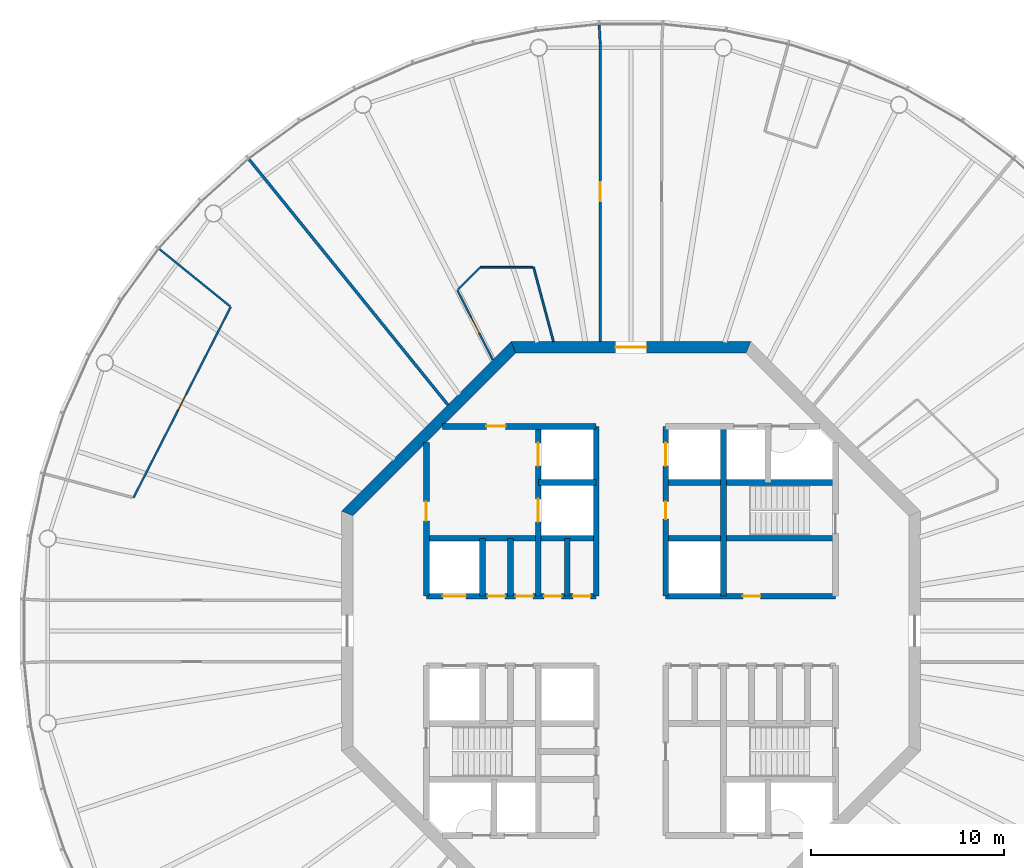
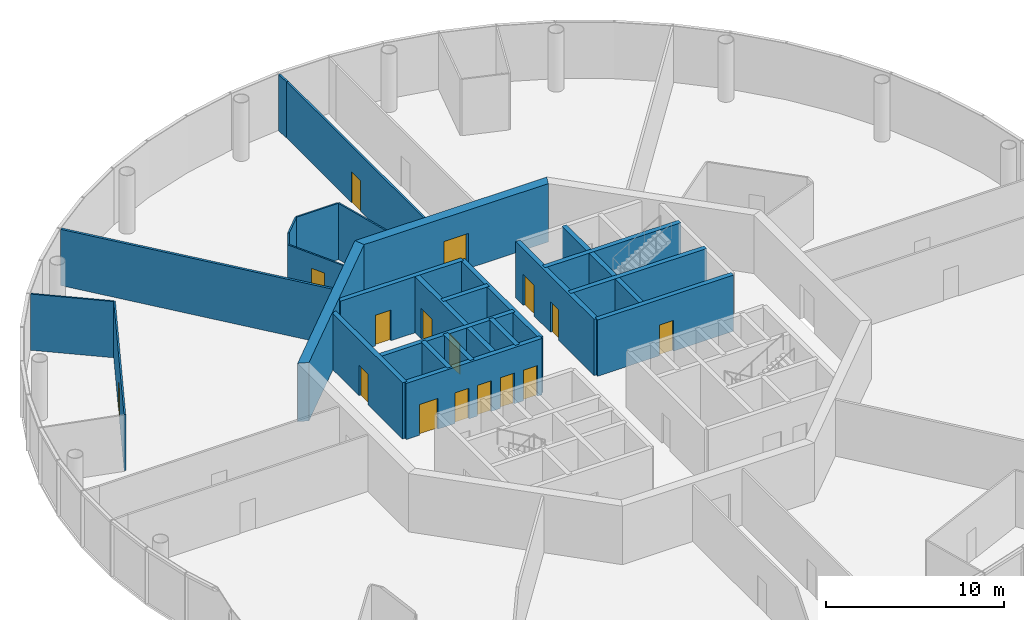
# One storey, part 5 of 13: 26 walls, 16 doors, 16 openings.
"""IFC4 building model written with IfcOpenShell, lengths in metres."""

from ifc_helpers import new_model, si_unit, direction, frame, frame_2d, origin, place, context, subcontext, project, spatial, polyline, rectangle, outline, extrude, material, layer, layer_set, type_object, element, fill, save


model = new_model("IFC4")

# Units and contexts
model_context = context("Model", 3, precision=1e-05, world=origin(), true_north=direction((0.0, 1.0)))
body_context = subcontext(model_context, "Body", "Model", "MODEL_VIEW")
ifc_project = project(units=[si_unit("LENGTHUNIT", "METRE"), si_unit("AREAUNIT", "SQUARE_METRE"), si_unit("VOLUMEUNIT", "CUBIC_METRE"), si_unit("PLANEANGLEUNIT", "RADIAN"), si_unit("MASSUNIT", "GRAM", prefix="KILO")], contexts=[model_context])

# Site, building, storey
site_placement = place(None, origin())
site = spatial("IfcSite", under=ifc_project, at=site_placement, CompositionType="ELEMENT")
building_placement = place(site_placement, origin())
building = spatial("IfcBuilding", under=site, at=building_placement, Name="Entoto Ring Tower", CompositionType="ELEMENT")
storey_placement = place(building_placement, frame((0.0, 0.0, 384.0)))
storey = spatial("IfcBuildingStorey", under=building, at=storey_placement, Name="L89", CompositionType="ELEMENT", Elevation=384.0)

# Wall
ifc_material_1 = material(Name="Concrete C40/50", Category="concrete")
ifc_layer_1 = layer(ifc_material_1, 0.300048828125)
ifc_layer_set_1 = layer_set([ifc_layer_1], Name="Concrete C40/50")
wall_type_1 = type_object("IfcWallType", Name="Core enclosure wall 300 mm reinforced concrete", PredefinedType="SOLIDWALL", material=ifc_layer_set_1)
wall_1_placement = place(storey_placement, frame((94.800048828125, 81.800048828125, 0.0), z_axis=(0.0, 0.0, 1.0), x_axis=(0.0, 1.0, 0.0)))
element("IfcWall", 1, at=wall_1_placement, inside=storey, type_object=wall_type_1, Name="wall-L89-009", PredefinedType="SOLIDWALL", context=body_context, shape_type="SweptSolid", body=[
    extrude(rectangle(XDim=8.800048828125, YDim=0.300048828125, at=frame_2d((4.39990234375, 0.0))), origin(), (0.0, 0.0, 1.0), 3.85009765625),
])

# Wall, openings, doors
wall_2_placement = place(storey_placement, frame((91.800048828125, 81.800048828125, 0.0), z_axis=(0.0, 0.0, 1.0), x_axis=(0.0, 1.0, 0.0)))
wall_2 = element("IfcWall", 2, at=wall_2_placement, inside=storey, type_object=wall_type_1, Name="wall-L89-012", PredefinedType="SOLIDWALL", context=body_context, shape_type="SweptSolid", body=[
    extrude(rectangle(XDim=8.800048828125, YDim=0.300048828125, at=frame_2d((4.39990234375, 0.0))), origin(), (0.0, 0.0, 1.0), 3.85009765625),
])
opening_1_placement = place(wall_2_placement, frame((6.75, 0.0, 0.0)))
opening_1 = element("IfcOpeningElement", 3, at=opening_1_placement, cuts=wall_2, Name="Opening LD", PredefinedType="OPENING", context=body_context, shape_type="SweptSolid", body=[
    extrude(rectangle(XDim=1.199951171875, YDim=2.10009765625, at=frame_2d((0.60009765625, 1.050048828125))), frame((0.0, 0.16015625, 0.0), z_axis=(0.0, -1.0, 0.0), x_axis=(1.0, 0.0, 0.0)), (0.0, 0.0, 1.0), 0.320068359375),
])
opening_2_placement = place(wall_2_placement, frame((4.0, 0.0, 0.0)))
opening_2 = element("IfcOpeningElement", 4, at=opening_2_placement, cuts=wall_2, Name="Opening K-63", PredefinedType="OPENING", context=body_context, shape_type="SweptSolid", body=[
    extrude(rectangle(XDim=0.89990234375, YDim=2.10009765625, at=frame_2d((0.449951171875, 1.050048828125))), frame((0.0, 0.16015625, 0.0), z_axis=(0.0, -1.0, 0.0), x_axis=(1.0, 0.0, 0.0)), (0.0, 0.0, 1.0), 0.320068359375),
])
ifc_material_2 = material(Name="Steel door leaf, fire rated", Category="steel")
ifc_layer_2 = layer(ifc_material_2, 0.050048828125)
ifc_layer_set_2 = layer_set([ifc_layer_2], Name="Steel door leaf, fire rated")
door_type_1 = type_object("IfcDoorType", Name="Core door 900 x 2100 single leaf", OperationType="NOTDEFINED", PredefinedType="DOOR", material=ifc_layer_set_2)
door_1_placement = place(opening_2_placement, frame((0.89990234375, 0.0, 0.0), z_axis=(0.0, 0.0, 1.0), x_axis=(-1.0, 0.0, 0.0)))
door_1 = element("IfcDoor", 5, at=door_1_placement, inside=storey, type_object=door_type_1, Name="Door K-63", OperationType="SINGLE_SWING_RIGHT", OverallHeight=2.10009765625, OverallWidth=0.89990234375, PredefinedType="DOOR", context=body_context, shape_type="SweptSolid", body=[
    extrude(rectangle(XDim=0.89990234375, YDim=2.10009765625, at=frame_2d((0.449951171875, 1.050048828125))), frame((0.0, 0.02490234375, 0.0), z_axis=(0.0, -1.0, 0.0), x_axis=(1.0, 0.0, 0.0)), (0.0, 0.0, 1.0), 0.050048828125),
])
fill(opening_2, door_1)
ifc_material_3 = material(Name="Steel and glass door leaf", Category="steel")
ifc_layer_3 = layer(ifc_material_3, 0.050048828125)
ifc_layer_set_3 = layer_set([ifc_layer_3], Name="Steel and glass door leaf")
door_type_2 = type_object("IfcDoorType", Name="Landing door 1200 x 2100 sliding", OperationType="DOUBLE_DOOR_SLIDING", PredefinedType="DOOR", material=ifc_layer_set_3)
door_2_placement = place(opening_1_placement, origin())
door_2 = element("IfcDoor", 6, at=door_2_placement, inside=storey, type_object=door_type_2, Name="Landing door SH3", OperationType="SLIDING_TO_RIGHT", OverallHeight=2.10009765625, OverallWidth=1.199951171875, PredefinedType="DOOR", context=body_context, shape_type="SweptSolid", body=[
    extrude(rectangle(XDim=1.199951171875, YDim=2.10009765625, at=frame_2d((0.60009765625, 1.050048828125))), frame((0.0, 0.02490234375, 0.0), z_axis=(0.0, -1.0, 0.0), x_axis=(1.0, 0.0, 0.0)), (0.0, 0.0, 1.0), 0.050048828125),
])
fill(opening_1, door_2)

# Walls
wall_3_placement = place(storey_placement, frame((88.199951171875, 81.800048828125, 0.0), z_axis=(0.0, 0.0, 1.0), x_axis=(0.0, 1.0, 0.0)))
element("IfcWall", 7, at=wall_3_placement, inside=storey, type_object=wall_type_1, Name="wall-L89-014", PredefinedType="SOLIDWALL", context=body_context, shape_type="SweptSolid", body=[
    extrude(rectangle(XDim=8.800048828125, YDim=0.300048828125, at=frame_2d((4.39990234375, 0.0))), origin(), (0.0, 0.0, 1.0), 3.85009765625),
])
wall_4_placement = place(storey_placement, frame((86.699951171875, 81.800048828125, 0.0), z_axis=(0.0, 0.0, 1.0), x_axis=(0.0, 1.0, 0.0)))
element("IfcWall", 8, at=wall_4_placement, inside=storey, type_object=wall_type_1, Name="wall-L89-015", PredefinedType="SOLIDWALL", context=body_context, shape_type="SweptSolid", body=[
    extrude(rectangle(XDim=3.0, YDim=0.300048828125, at=frame_2d((1.5, 0.0))), origin(), (0.0, 0.0, 1.0), 3.85009765625),
])

# Wall, openings, doors
wall_5_placement = place(storey_placement, frame((85.199951171875, 81.800048828125, 0.0), z_axis=(0.0, 0.0, 1.0), x_axis=(0.0, 1.0, 0.0)))
wall_5 = element("IfcWall", 9, at=wall_5_placement, inside=storey, type_object=wall_type_1, Name="wall-L89-017", PredefinedType="SOLIDWALL", context=body_context, shape_type="SweptSolid", body=[
    extrude(rectangle(XDim=8.800048828125, YDim=0.300048828125, at=frame_2d((4.39990234375, 0.0))), origin(), (0.0, 0.0, 1.0), 3.85009765625),
])
opening_3_placement = place(wall_5_placement, frame((3.85009765625, 0.0, 0.0)))
opening_3 = element("IfcOpeningElement", 10, at=opening_3_placement, cuts=wall_5, Name="Opening LD", PredefinedType="OPENING", context=body_context, shape_type="SweptSolid", body=[
    extrude(rectangle(XDim=1.199951171875, YDim=2.10009765625, at=frame_2d((0.60009765625, 1.050048828125))), frame((0.0, 0.16015625, 0.0), z_axis=(0.0, -1.0, 0.0), x_axis=(1.0, 0.0, 0.0)), (0.0, 0.0, 1.0), 0.320068359375),
])
opening_4_placement = place(wall_5_placement, frame((6.75, 0.0, 0.0)))
opening_4 = element("IfcOpeningElement", 11, at=opening_4_placement, cuts=wall_5, Name="Opening LD", PredefinedType="OPENING", context=body_context, shape_type="SweptSolid", body=[
    extrude(rectangle(XDim=1.199951171875, YDim=2.10009765625, at=frame_2d((0.60009765625, 1.050048828125))), frame((0.0, 0.16015625, 0.0), z_axis=(0.0, -1.0, 0.0), x_axis=(1.0, 0.0, 0.0)), (0.0, 0.0, 1.0), 0.320068359375),
])
door_3_placement = place(opening_3_placement, origin())
door_3 = element("IfcDoor", 12, at=door_3_placement, inside=storey, type_object=door_type_2, Name="Landing door FF1", OperationType="SLIDING_TO_RIGHT", OverallHeight=2.10009765625, OverallWidth=1.199951171875, PredefinedType="DOOR", context=body_context, shape_type="SweptSolid", body=[
    extrude(rectangle(XDim=1.199951171875, YDim=2.10009765625, at=frame_2d((0.60009765625, 1.050048828125))), frame((0.0, 0.02490234375, 0.0), z_axis=(0.0, -1.0, 0.0), x_axis=(1.0, 0.0, 0.0)), (0.0, 0.0, 1.0), 0.050048828125),
])
fill(opening_3, door_3)
door_4_placement = place(opening_4_placement, origin())
door_4 = element("IfcDoor", 13, at=door_4_placement, inside=storey, type_object=door_type_2, Name="Landing door FF2", OperationType="SLIDING_TO_RIGHT", OverallHeight=2.10009765625, OverallWidth=1.199951171875, PredefinedType="DOOR", context=body_context, shape_type="SweptSolid", body=[
    extrude(rectangle(XDim=1.199951171875, YDim=2.10009765625, at=frame_2d((0.60009765625, 1.050048828125))), frame((0.0, 0.02490234375, 0.0), z_axis=(0.0, -1.0, 0.0), x_axis=(1.0, 0.0, 0.0)), (0.0, 0.0, 1.0), 0.050048828125),
])
fill(opening_4, door_4)

# Walls
for number, where, z_axis, x_axis, name in (
    (14, (83.75, 81.800048828125, 0.0), (0.0, 0.0, 1.0), (0.0, 1.0, 0.0), "wall-L89-019"),
    (15, (82.300048828125, 81.800048828125, 0.0), (0.0, 0.0, 1.0), (0.0, 1.0, 0.0), "wall-L89-022"),
):
    element("IfcWall", number, at=place(storey_placement, frame(where, z_axis=z_axis, x_axis=x_axis)), inside=storey, type_object=wall_type_1, Name=name, PredefinedType="SOLIDWALL", context=body_context, shape_type="SweptSolid", body=[
        extrude(rectangle(XDim=3.0, YDim=0.300048828125, at=frame_2d((1.5, 0.0))), origin(), (0.0, 0.0, 1.0), 3.85009765625),
    ])

# Wall, opening, door
wall_6_placement = place(storey_placement, frame((79.39990234375, 81.800048828125, 0.0), z_axis=(0.0, 0.0, 1.0), x_axis=(0.0, 1.0, 0.0)))
wall_6 = element("IfcWall", 16, at=wall_6_placement, inside=storey, type_object=wall_type_1, Name="wall-L89-024", PredefinedType="SOLIDWALL", context=body_context, shape_type="SweptSolid", body=[
    extrude(rectangle(XDim=7.964599609375, YDim=0.300048828125, at=frame_2d((3.982421875, 0.0))), origin(), (0.0, 0.0, 1.0), 3.85009765625),
])
opening_5_placement = place(wall_6_placement, frame((3.89990234375, 0.0, 0.0)))
opening_5 = element("IfcOpeningElement", 17, at=opening_5_placement, cuts=wall_6, Name="Opening K-35", PredefinedType="OPENING", context=body_context, shape_type="SweptSolid", body=[
    extrude(rectangle(XDim=1.0, YDim=2.10009765625, at=frame_2d((0.5, 1.050048828125))), frame((0.0, 0.16015625, 0.0), z_axis=(0.0, -1.0, 0.0), x_axis=(1.0, 0.0, 0.0)), (0.0, 0.0, 1.0), 0.320068359375),
])
ifc_material_4 = material(Name="Steel door leaf, fire rated", Category="steel")
ifc_layer_4 = layer(ifc_material_4, 0.050048828125)
ifc_layer_set_4 = layer_set([ifc_layer_4], Name="Steel door leaf, fire rated")
door_type_3 = type_object("IfcDoorType", Name="Fire door FD60 1000 x 2100 single leaf", OperationType="NOTDEFINED", PredefinedType="DOOR", material=ifc_layer_set_4)
door_5_placement = place(opening_5_placement, frame((1.0, 0.0, 0.0), z_axis=(0.0, 0.0, 1.0), x_axis=(-1.0, 0.0, 0.0)))
door_5 = element("IfcDoor", 18, at=door_5_placement, inside=storey, type_object=door_type_3, Name="Door K-35", OperationType="SINGLE_SWING_RIGHT", OverallHeight=2.10009765625, OverallWidth=1.0, PredefinedType="DOOR", context=body_context, shape_type="SweptSolid", body=[
    extrude(rectangle(XDim=1.0, YDim=2.10009765625, at=frame_2d((0.5, 1.050048828125))), frame((0.0, 0.02490234375, 0.0), z_axis=(0.0, -1.0, 0.0), x_axis=(1.0, 0.0, 0.0)), (0.0, 0.0, 1.0), 0.050048828125),
])
fill(opening_5, door_5)

# Wall, openings, doors
wall_7_placement = place(storey_placement, frame((79.39990234375, 81.800048828125, 0.0), z_axis=(0.0, 0.0, 1.0), x_axis=(1.0, 0.0, 0.0)))
wall_7 = element("IfcWall", 19, at=wall_7_placement, inside=storey, type_object=wall_type_1, Name="wall-L89-034", PredefinedType="SOLIDWALL", context=body_context, shape_type="SweptSolid", body=[
    extrude(rectangle(XDim=8.800048828125, YDim=0.300048828125, at=frame_2d((4.39990234375, 0.0))), origin(), (0.0, 0.0, 1.0), 3.85009765625),
])
opening_6_placement = place(wall_7_placement, frame((0.85009765625, 0.0, 0.0)))
opening_6 = element("IfcOpeningElement", 20, at=opening_6_placement, cuts=wall_7, Name="Opening LD", PredefinedType="OPENING", context=body_context, shape_type="SweptSolid", body=[
    extrude(rectangle(XDim=1.199951171875, YDim=2.10009765625, at=frame_2d((0.60009765625, 1.050048828125))), frame((0.0, 0.16015625, 0.0), z_axis=(0.0, -1.0, 0.0), x_axis=(1.0, 0.0, 0.0)), (0.0, 0.0, 1.0), 0.320068359375),
])
opening_7_placement = place(wall_7_placement, frame((3.175048828125, 0.0, 0.0)))
opening_7 = element("IfcOpeningElement", 21, at=opening_7_placement, cuts=wall_7, Name="Opening K-12", PredefinedType="OPENING", context=body_context, shape_type="SweptSolid", body=[
    extrude(rectangle(XDim=0.89990234375, YDim=2.10009765625, at=frame_2d((0.449951171875, 1.050048828125))), frame((0.0, 0.16015625, 0.0), z_axis=(0.0, -1.0, 0.0), x_axis=(1.0, 0.0, 0.0)), (0.0, 0.0, 1.0), 0.320068359375),
])
opening_8_placement = place(wall_7_placement, frame((4.625, 0.0, 0.0)))
opening_8 = element("IfcOpeningElement", 22, at=opening_8_placement, cuts=wall_7, Name="Opening K-46", PredefinedType="OPENING", context=body_context, shape_type="SweptSolid", body=[
    extrude(rectangle(XDim=0.89990234375, YDim=2.10009765625, at=frame_2d((0.449951171875, 1.050048828125))), frame((0.0, 0.16015625, 0.0), z_axis=(0.0, -1.0, 0.0), x_axis=(1.0, 0.0, 0.0)), (0.0, 0.0, 1.0), 0.320068359375),
])
opening_9_placement = place(wall_7_placement, frame((6.10009765625, 0.0, 0.0)))
opening_9 = element("IfcOpeningElement", 23, at=opening_9_placement, cuts=wall_7, Name="Opening K-25", PredefinedType="OPENING", context=body_context, shape_type="SweptSolid", body=[
    extrude(rectangle(XDim=0.89990234375, YDim=2.10009765625, at=frame_2d((0.449951171875, 1.050048828125))), frame((0.0, 0.16015625, 0.0), z_axis=(0.0, -1.0, 0.0), x_axis=(1.0, 0.0, 0.0)), (0.0, 0.0, 1.0), 0.320068359375),
])
opening_10_placement = place(wall_7_placement, frame((7.60009765625, 0.0, 0.0)))
opening_10 = element("IfcOpeningElement", 24, at=opening_10_placement, cuts=wall_7, Name="Opening K-77", PredefinedType="OPENING", context=body_context, shape_type="SweptSolid", body=[
    extrude(rectangle(XDim=0.89990234375, YDim=2.10009765625, at=frame_2d((0.449951171875, 1.050048828125))), frame((0.0, 0.16015625, 0.0), z_axis=(0.0, -1.0, 0.0), x_axis=(1.0, 0.0, 0.0)), (0.0, 0.0, 1.0), 0.320068359375),
])
door_6_placement = place(opening_7_placement, origin())
door_6 = element("IfcDoor", 25, at=door_6_placement, inside=storey, type_object=door_type_1, Name="Door K-12", OperationType="SINGLE_SWING_RIGHT", OverallHeight=2.10009765625, OverallWidth=0.89990234375, PredefinedType="DOOR", context=body_context, shape_type="SweptSolid", body=[
    extrude(rectangle(XDim=0.89990234375, YDim=2.10009765625, at=frame_2d((0.449951171875, 1.050048828125))), frame((0.0, 0.02490234375, 0.0), z_axis=(0.0, -1.0, 0.0), x_axis=(1.0, 0.0, 0.0)), (0.0, 0.0, 1.0), 0.050048828125),
])
fill(opening_7, door_6)
door_7_placement = place(opening_8_placement, origin())
door_7 = element("IfcDoor", 26, at=door_7_placement, inside=storey, type_object=door_type_1, Name="Door K-46", OperationType="SINGLE_SWING_RIGHT", OverallHeight=2.10009765625, OverallWidth=0.89990234375, PredefinedType="DOOR", context=body_context, shape_type="SweptSolid", body=[
    extrude(rectangle(XDim=0.89990234375, YDim=2.10009765625, at=frame_2d((0.449951171875, 1.050048828125))), frame((0.0, 0.02490234375, 0.0), z_axis=(0.0, -1.0, 0.0), x_axis=(1.0, 0.0, 0.0)), (0.0, 0.0, 1.0), 0.050048828125),
])
fill(opening_8, door_7)
door_8_placement = place(opening_9_placement, origin())
door_8 = element("IfcDoor", 27, at=door_8_placement, inside=storey, type_object=door_type_1, Name="Door K-25", OperationType="SINGLE_SWING_LEFT", OverallHeight=2.10009765625, OverallWidth=0.89990234375, PredefinedType="DOOR", context=body_context, shape_type="SweptSolid", body=[
    extrude(rectangle(XDim=0.89990234375, YDim=2.10009765625, at=frame_2d((0.449951171875, 1.050048828125))), frame((0.0, 0.02490234375, 0.0), z_axis=(0.0, -1.0, 0.0), x_axis=(1.0, 0.0, 0.0)), (0.0, 0.0, 1.0), 0.050048828125),
])
fill(opening_9, door_8)
door_9_placement = place(opening_10_placement, origin())
door_9 = element("IfcDoor", 28, at=door_9_placement, inside=storey, type_object=door_type_1, Name="Door K-77", OperationType="SINGLE_SWING_LEFT", OverallHeight=2.10009765625, OverallWidth=0.89990234375, PredefinedType="DOOR", context=body_context, shape_type="SweptSolid", body=[
    extrude(rectangle(XDim=0.89990234375, YDim=2.10009765625, at=frame_2d((0.449951171875, 1.050048828125))), frame((0.0, 0.02490234375, 0.0), z_axis=(0.0, -1.0, 0.0), x_axis=(1.0, 0.0, 0.0)), (0.0, 0.0, 1.0), 0.050048828125),
])
fill(opening_10, door_9)
door_10_placement = place(opening_6_placement, origin())
door_10 = element("IfcDoor", 29, at=door_10_placement, inside=storey, type_object=door_type_2, Name="Landing door SH1", OperationType="SLIDING_TO_RIGHT", OverallHeight=2.10009765625, OverallWidth=1.199951171875, PredefinedType="DOOR", context=body_context, shape_type="SweptSolid", body=[
    extrude(rectangle(XDim=1.199951171875, YDim=2.10009765625, at=frame_2d((0.60009765625, 1.050048828125))), frame((0.0, 0.02490234375, 0.0), z_axis=(0.0, -1.0, 0.0), x_axis=(1.0, 0.0, 0.0)), (0.0, 0.0, 1.0), 0.050048828125),
])
fill(opening_6, door_10)

# Wall, opening, door
wall_8_placement = place(storey_placement, frame((91.800048828125, 81.800048828125, 0.0), z_axis=(0.0, 0.0, 1.0), x_axis=(1.0, 0.0, 0.0)))
wall_8 = element("IfcWall", 30, at=wall_8_placement, inside=storey, type_object=wall_type_1, Name="wall-L89-035", PredefinedType="SOLIDWALL", context=body_context, shape_type="SweptSolid", body=[
    extrude(rectangle(XDim=8.800048828125, YDim=0.300048828125, at=frame_2d((4.39990234375, 0.0))), origin(), (0.0, 0.0, 1.0), 3.85009765625),
])
opening_11_placement = place(wall_8_placement, frame((4.0, 0.0, 0.0)))
opening_11 = element("IfcOpeningElement", 31, at=opening_11_placement, cuts=wall_8, Name="Opening K-11", PredefinedType="OPENING", context=body_context, shape_type="SweptSolid", body=[
    extrude(rectangle(XDim=0.89990234375, YDim=2.10009765625, at=frame_2d((0.449951171875, 1.050048828125))), frame((0.0, 0.16015625, 0.0), z_axis=(0.0, -1.0, 0.0), x_axis=(1.0, 0.0, 0.0)), (0.0, 0.0, 1.0), 0.320068359375),
])
door_11_placement = place(opening_11_placement, origin())
door_11 = element("IfcDoor", 32, at=door_11_placement, inside=storey, type_object=door_type_1, Name="Door K-11", OperationType="SINGLE_SWING_LEFT", OverallHeight=2.10009765625, OverallWidth=0.89990234375, PredefinedType="DOOR", context=body_context, shape_type="SweptSolid", body=[
    extrude(rectangle(XDim=0.89990234375, YDim=2.10009765625, at=frame_2d((0.449951171875, 1.050048828125))), frame((0.0, 0.02490234375, 0.0), z_axis=(0.0, -1.0, 0.0), x_axis=(1.0, 0.0, 0.0)), (0.0, 0.0, 1.0), 0.050048828125),
])
fill(opening_11, door_11)

# Walls
for number, where, z_axis, x_axis, name in (
    (33, (79.39990234375, 84.800048828125, 0.0), (0.0, 0.0, 1.0), (1.0, 0.0, 0.0), "wall-L89-036"),
    (34, (91.800048828125, 84.800048828125, 0.0), (0.0, 0.0, 1.0), (1.0, 0.0, 0.0), "wall-L89-037"),
):
    element("IfcWall", number, at=place(storey_placement, frame(where, z_axis=z_axis, x_axis=x_axis)), inside=storey, type_object=wall_type_1, Name=name, PredefinedType="SOLIDWALL", context=body_context, shape_type="SweptSolid", body=[
        extrude(rectangle(XDim=8.800048828125, YDim=0.300048828125, at=frame_2d((4.39990234375, 0.0))), origin(), (0.0, 0.0, 1.0), 3.85009765625),
    ])
wall_9_placement = place(storey_placement, frame((85.199951171875, 87.699951171875, 0.0), z_axis=(0.0, 0.0, 1.0), x_axis=(1.0, 0.0, 0.0)))
element("IfcWall", 35, at=wall_9_placement, inside=storey, type_object=wall_type_1, Name="wall-L89-038", PredefinedType="SOLIDWALL", context=body_context, shape_type="SweptSolid", body=[
    extrude(rectangle(XDim=3.0, YDim=0.300048828125, at=frame_2d((1.5, 0.0))), origin(), (0.0, 0.0, 1.0), 3.85009765625),
])
wall_10_placement = place(storey_placement, frame((91.800048828125, 87.699951171875, 0.0), z_axis=(0.0, 0.0, 1.0), x_axis=(1.0, 0.0, 0.0)))
element("IfcWall", 36, at=wall_10_placement, inside=storey, type_object=wall_type_1, Name="wall-L89-039", PredefinedType="SOLIDWALL", context=body_context, shape_type="SweptSolid", body=[
    extrude(rectangle(XDim=8.800048828125, YDim=0.300048828125, at=frame_2d((4.39990234375, 0.0))), origin(), (0.0, 0.0, 1.0), 3.85009765625),
])

# Wall, opening, door
wall_11_placement = place(storey_placement, frame((80.2353515625, 90.60009765625, 0.0), z_axis=(0.0, 0.0, 1.0), x_axis=(1.0, 0.0, 0.0)))
wall_11 = element("IfcWall", 37, at=wall_11_placement, inside=storey, type_object=wall_type_1, Name="wall-L89-040", PredefinedType="SOLIDWALL", context=body_context, shape_type="SweptSolid", body=[
    extrude(rectangle(XDim=7.964599609375, YDim=0.300048828125, at=frame_2d((3.982421875, 0.0))), origin(), (0.0, 0.0, 1.0), 3.85009765625),
])
opening_12_placement = place(wall_11_placement, frame((2.2646484375, 0.0, 0.0)))
opening_12 = element("IfcOpeningElement", 38, at=opening_12_placement, cuts=wall_11, Name="Opening K-36", PredefinedType="OPENING", context=body_context, shape_type="SweptSolid", body=[
    extrude(rectangle(XDim=1.0, YDim=2.10009765625, at=frame_2d((0.5, 1.050048828125))), frame((0.0, 0.16015625, 0.0), z_axis=(0.0, -1.0, 0.0), x_axis=(1.0, 0.0, 0.0)), (0.0, 0.0, 1.0), 0.320068359375),
])
door_12_placement = place(opening_12_placement, frame((1.0, 0.0, 0.0), z_axis=(0.0, 0.0, 1.0), x_axis=(-1.0, 0.0, 0.0)))
door_12 = element("IfcDoor", 39, at=door_12_placement, inside=storey, type_object=door_type_3, Name="Door K-36", OperationType="SINGLE_SWING_LEFT", OverallHeight=2.10009765625, OverallWidth=1.0, PredefinedType="DOOR", context=body_context, shape_type="SweptSolid", body=[
    extrude(rectangle(XDim=1.0, YDim=2.10009765625, at=frame_2d((0.5, 1.050048828125))), frame((0.0, 0.02490234375, 0.0), z_axis=(0.0, -1.0, 0.0), x_axis=(1.0, 0.0, 0.0)), (0.0, 0.0, 1.0), 0.050048828125),
])
fill(opening_12, door_12)

ifc_material_5 = material(Name="Concrete C40/50", Category="concrete")
ifc_layer_5 = layer(ifc_material_5, 0.60009765625)
ifc_layer_set_5 = layer_set([ifc_layer_5], Name="Concrete C40/50")
wall_type_2 = type_object("IfcWallType", Name="Core shear wall 600 mm reinforced concrete C40/50", PredefinedType="SHEAR", material=ifc_layer_set_5)
wall_12_placement = place(storey_placement, frame((96.0888671875, 94.699951171875, 0.0), z_axis=(0.0, 0.0, 1.0), x_axis=(-1.0, 0.0, 0.0)))
wall_12 = element("IfcWall", 40, at=wall_12_placement, inside=storey, type_object=wall_type_2, Name="wall-L89-core-2", PredefinedType="SHEAR", context=body_context, shape_type="SweptSolid", body=[
    extrude(outline(polyline([(-0.124267578125, -0.300048828125), (12.302001953125, -0.300048828125), (12.053466796875, 0.300048828125), (0.124267578125, 0.300048828125), (-0.124267578125, -0.300048828125)])), origin(), (0.0, 0.0, 1.0), 4.0),
])
opening_13_placement = place(wall_12_placement, frame((5.288818359375, 0.0, 0.0)))
opening_13 = element("IfcOpeningElement", 41, at=opening_13_placement, cuts=wall_12, Name="Opening K-02", PredefinedType="OPENING", context=body_context, shape_type="SweptSolid", body=[
    extrude(rectangle(XDim=1.60009765625, YDim=2.39990234375, at=frame_2d((0.800048828125, 1.199951171875))), frame((0.0, 0.31005859375, 0.0), z_axis=(0.0, -1.0, 0.0), x_axis=(1.0, 0.0, 0.0)), (0.0, 0.0, 1.0), 0.6201171875),
])
ifc_material_6 = material(Name="Steel door leaf, fire rated", Category="steel")
ifc_layer_6 = layer(ifc_material_6, 0.050048828125)
ifc_layer_set_6 = layer_set([ifc_layer_6], Name="Steel door leaf, fire rated")
door_type_4 = type_object("IfcDoorType", Name="Entrance door FD60 1600 x 2400 double leaf", OperationType="DOUBLE_DOOR_SINGLE_SWING", PredefinedType="DOOR", material=ifc_layer_set_6)
door_13_placement = place(opening_13_placement, origin())
door_13 = element("IfcDoor", 42, at=door_13_placement, inside=storey, type_object=door_type_4, Name="Entrance door K-02", OperationType="DOUBLE_DOOR_SINGLE_SWING", OverallHeight=2.39990234375, OverallWidth=1.60009765625, PredefinedType="DOOR", context=body_context, shape_type="SweptSolid", body=[
    extrude(rectangle(XDim=1.60009765625, YDim=2.39990234375, at=frame_2d((0.800048828125, 1.199951171875))), frame((0.0, 0.02490234375, 0.0), z_axis=(0.0, -1.0, 0.0), x_axis=(1.0, 0.0, 0.0)), (0.0, 0.0, 1.0), 0.050048828125),
])
fill(opening_13, door_13)

# Wall
wall_13_placement = place(storey_placement, frame((83.9111328125, 94.699951171875, 0.0), z_axis=(0.0, 0.0, 1.0), x_axis=(-0.707106781187, -0.707106781187, 0.0)))
element("IfcWall", 43, at=wall_13_placement, inside=storey, type_object=wall_type_2, Name="wall-L89-core-3", PredefinedType="SHEAR", context=body_context, shape_type="SweptSolid", body=[
    extrude(outline(polyline([(-0.124267578125, -0.300048828125), (12.30224609375, -0.300048828125), (12.0537109375, 0.300048828125), (0.124267578125, 0.300048828125), (-0.124267578125, -0.300048828125)])), origin(), (0.0, 0.0, 1.0), 4.0),
])

# Wall, opening, door
ifc_material_7 = material(Name="Fire-resisting plasterboard on steel studs", Category="steel")
ifc_layer_7 = layer(ifc_material_7, 0.125)
ifc_layer_set_7 = layer_set([ifc_layer_7], Name="Fire-resisting plasterboard on steel studs")
wall_type_3 = type_object("IfcWallType", Name="Corridor wall 125 mm one-hour plasterboard on steel studs", PredefinedType="PARTITIONING", material=ifc_layer_set_7)
wall_14_placement = place(storey_placement, frame((88.39990234375, 95.0, 0.0), z_axis=(0.0, 0.0, 1.0), x_axis=(0.0, 1.0, 0.0)))
wall_14 = element("IfcWall", 44, at=wall_14_placement, inside=storey, type_object=wall_type_3, Name="partition-L89-004", PredefinedType="PARTITIONING", context=body_context, shape_type="SweptSolid", body=[
    extrude(rectangle(XDim=15.52978515625, YDim=0.125, at=frame_2d((7.764892578125, 0.0))), origin(), (0.0, 0.0, 1.0), 3.85009765625),
])
opening_14_placement = place(wall_14_placement, frame((7.264892578125, 0.0, 0.0)))
opening_14 = element("IfcOpeningElement", 45, at=opening_14_placement, cuts=wall_14, Name="Opening A38-D05", PredefinedType="OPENING", context=body_context, shape_type="SweptSolid", body=[
    extrude(rectangle(XDim=1.0, YDim=2.10009765625, at=frame_2d((0.5, 1.050048828125))), frame((0.0, 0.072509765625, 0.0), z_axis=(0.0, -1.0, 0.0), x_axis=(1.0, 0.0, 0.0)), (0.0, 0.0, 1.0), 0.14501953125),
])
ifc_material_8 = material(Name="Fire-resisting timber door set", Category="wood")
door_type_5 = type_object("IfcDoorType", Name="Door 1000 x 2100 single leaf FD30S fire door", OperationType="NOTDEFINED", PredefinedType="DOOR", material=ifc_material_8)
door_14_placement = place(opening_14_placement, origin())
door_14 = element("IfcDoor", 46, at=door_14_placement, inside=storey, type_object=door_type_5, Name="Door A38-D05", OperationType="SINGLE_SWING_LEFT", OverallHeight=2.10009765625, OverallWidth=1.0, PredefinedType="DOOR", context=body_context, shape_type="SweptSolid", body=[
    extrude(rectangle(XDim=1.0, YDim=2.10009765625, at=frame_2d((0.5, 1.050048828125))), frame((0.0, 0.02490234375, 0.0), z_axis=(0.0, -1.0, 0.0), x_axis=(1.0, 0.0, 0.0)), (0.0, 0.0, 1.0), 0.050048828125),
])
fill(opening_14, door_14)

# Wall
wall_15_placement = place(storey_placement, frame((88.39990234375, 110.533203125, 0.0), z_axis=(0.0, 0.0, 1.0), x_axis=(-0.052499574911, 0.998620946423, 0.0)))
element("IfcWall", 47, at=wall_15_placement, inside=storey, type_object=wall_type_3, Name="partition-L89-012", PredefinedType="PARTITIONING", context=body_context, shape_type="SweptSolid", body=[
    extrude(rectangle(XDim=0.864990234375, YDim=0.125, at=frame_2d((0.4326171875, 0.0))), origin(), (0.0, 0.0, 1.0), 3.85009765625),
])

# Wall, opening, door
ifc_material_9 = material(Name="Plasterboard on steel studs", Category="steel")
ifc_layer_8 = layer(ifc_material_9, 0.10009765625)
ifc_layer_set_8 = layer_set([ifc_layer_8], Name="Plasterboard on steel studs")
wall_type_4 = type_object("IfcWallType", Name="Partition 100 mm plasterboard on steel studs", PredefinedType="PARTITIONING", material=ifc_layer_set_8)
wall_16_placement = place(storey_placement, frame((64.219482421875, 86.907958984375, 0.0), z_axis=(0.0, 0.0, 1.0), x_axis=(0.453993664105, 0.891004911857, 0.0)))
wall_16 = element("IfcWall", 48, at=wall_16_placement, inside=storey, type_object=wall_type_4, Name="partition-L89-021", PredefinedType="PARTITIONING", context=body_context, shape_type="SweptSolid", body=[
    extrude(rectangle(XDim=11.098388671875, YDim=0.10009765625, at=frame_2d((5.54931640625, 0.0))), origin(), (0.0, 0.0, 1.0), 3.85009765625),
])
opening_15_placement = place(wall_16_placement, frame((5.09912109375, 0.0, 0.0)))
opening_15 = element("IfcOpeningElement", 49, at=opening_15_placement, cuts=wall_16, Name="Opening A38-D08", PredefinedType="OPENING", context=body_context, shape_type="SweptSolid", body=[
    extrude(rectangle(XDim=0.89990234375, YDim=2.10009765625, at=frame_2d((0.449951171875, 1.050048828125))), frame((0.0, 0.06005859375, 0.0), z_axis=(0.0, -1.0, 0.0), x_axis=(1.0, 0.0, 0.0)), (0.0, 0.0, 1.0), 0.1201171875),
])
ifc_material_10 = material(Name="Veneered timber door leaf in timber frame", Category="wood")
door_type_6 = type_object("IfcDoorType", Name="Door 900 x 2100 single leaf timber veneer", OperationType="NOTDEFINED", PredefinedType="DOOR", material=ifc_material_10)
door_15_placement = place(opening_15_placement, origin())
door_15 = element("IfcDoor", 50, at=door_15_placement, inside=storey, type_object=door_type_6, Name="Door A38-D08", OperationType="SINGLE_SWING_RIGHT", OverallHeight=2.10009765625, OverallWidth=0.89990234375, PredefinedType="DOOR", context=body_context, shape_type="SweptSolid", body=[
    extrude(rectangle(XDim=0.89990234375, YDim=2.10009765625, at=frame_2d((0.449951171875, 1.050048828125))), frame((0.0, 0.02490234375, 0.0), z_axis=(0.0, -1.0, 0.0), x_axis=(1.0, 0.0, 0.0)), (0.0, 0.0, 1.0), 0.050048828125),
])
fill(opening_15, door_15)

# Walls
wall_17_placement = place(storey_placement, frame((69.219970703125, 96.827392578125, 0.0), z_axis=(0.0, 0.0, 1.0), x_axis=(-0.777156579316, 0.62930727886, 0.0)))
element("IfcWall", 51, at=wall_17_placement, inside=storey, type_object=wall_type_4, Name="partition-L89-028", PredefinedType="PARTITIONING", context=body_context, shape_type="SweptSolid", body=[
    extrude(rectangle(XDim=4.701171875, YDim=0.10009765625, at=frame_2d((2.3505859375, 0.0))), origin(), (0.0, 0.0, 1.0), 3.85009765625),
])
wall_18_placement = place(storey_placement, frame((85.980712890625, 95.0, 0.0), z_axis=(0.0, 0.0, 1.0), x_axis=(-0.258787112499, 0.965934382039, 0.0)))
element("IfcWall", 52, at=wall_18_placement, inside=storey, type_object=wall_type_4, Name="partition-L89-040", PredefinedType="PARTITIONING", context=body_context, shape_type="SweptSolid", body=[
    extrude(rectangle(XDim=3.98583984375, YDim=0.10009765625, at=frame_2d((1.992919921875, 0.0))), origin(), (0.0, 0.0, 1.0), 3.85009765625),
])
wall_19_placement = place(storey_placement, frame((82.192138671875, 98.85009765625, 0.0), z_axis=(0.0, 0.0, 1.0), x_axis=(1.0, 0.0, 0.0)))
element("IfcWall", 53, at=wall_19_placement, inside=storey, type_object=wall_type_4, Name="partition-L89-044", PredefinedType="PARTITIONING", context=body_context, shape_type="SweptSolid", body=[
    extrude(rectangle(XDim=2.708740234375, YDim=0.10009765625, at=frame_2d((1.3544921875, 0.0))), origin(), (0.0, 0.0, 1.0), 3.85009765625),
])
wall_20_placement = place(storey_placement, frame((81.035400390625, 97.693359375, 0.0), z_axis=(0.0, 0.0, 1.0), x_axis=(0.707106781187, 0.707106781187, 0.0)))
element("IfcWall", 54, at=wall_20_placement, inside=storey, type_object=wall_type_4, Name="partition-L89-045", PredefinedType="PARTITIONING", context=body_context, shape_type="SweptSolid", body=[
    extrude(rectangle(XDim=1.6005859375, YDim=0.10009765625, at=frame_2d((0.80029296875, 0.0))), origin(), (0.0, 0.0, 1.0), 3.85009765625),
])

# Wall, opening, door
ifc_material_11 = material(Name="Plasterboard on steel studs", Category="steel")
ifc_layer_9 = layer(ifc_material_11, 0.10009765625)
ifc_layer_set_9 = layer_set([ifc_layer_9], Name="Plasterboard on steel studs")
wall_type_5 = type_object("IfcWallType", Name="Partition 100 mm plasterboard on steel studs, 3097 mm high", PredefinedType="PARTITIONING", material=ifc_layer_set_9)
wall_21_placement = place(storey_placement, frame((82.839599609375, 94.052978515625, 0.0), z_axis=(0.0, 0.0, 1.0), x_axis=(-0.453955595384, 0.891024307985, 0.0)))
wall_21 = element("IfcWall", 55, at=wall_21_placement, inside=storey, type_object=wall_type_5, Name="partition-L89-038", PredefinedType="PARTITIONING", context=body_context, shape_type="SweptSolid", body=[
    extrude(rectangle(XDim=4.048095703125, YDim=0.10009765625, at=frame_2d((2.02392578125, 0.0))), origin(), (0.0, 0.0, 1.0), 3.096923828125),
])
opening_16_placement = place(wall_21_placement, frame((1.57421875, 0.0, 0.0)))
opening_16 = element("IfcOpeningElement", 56, at=opening_16_placement, cuts=wall_21, Name="Opening A38-D06", PredefinedType="OPENING", context=body_context, shape_type="SweptSolid", body=[
    extrude(rectangle(XDim=0.89990234375, YDim=2.10009765625, at=frame_2d((0.449951171875, 1.050048828125))), frame((0.0, 0.06005859375, 0.0), z_axis=(0.0, -1.0, 0.0), x_axis=(1.0, 0.0, 0.0)), (0.0, 0.0, 1.0), 0.1201171875),
])
door_16_placement = place(opening_16_placement, frame((0.89990234375, 0.0, 0.0), z_axis=(0.0, 0.0, 1.0), x_axis=(-1.0, 0.0, 0.0)))
door_16 = element("IfcDoor", 57, at=door_16_placement, inside=storey, type_object=door_type_6, Name="Door A38-D06", OperationType="SINGLE_SWING_RIGHT", OverallHeight=2.10009765625, OverallWidth=0.89990234375, PredefinedType="DOOR", context=body_context, shape_type="SweptSolid", body=[
    extrude(rectangle(XDim=0.89990234375, YDim=2.10009765625, at=frame_2d((0.449951171875, 1.050048828125))), frame((0.0, 0.02490234375, 0.0), z_axis=(0.0, -1.0, 0.0), x_axis=(1.0, 0.0, 0.0)), (0.0, 0.0, 1.0), 0.050048828125),
])
fill(opening_16, door_16)

# Wall
ifc_material_12 = material(Name="Fire-resisting acoustic plasterboard on steel studs", Category="steel")
ifc_layer_10 = layer(ifc_material_12, 0.14990234375)
ifc_layer_set_10 = layer_set([ifc_layer_10], Name="Fire-resisting acoustic plasterboard on steel studs")
wall_type_6 = type_object("IfcWallType", Name="Party wall 150 mm one-hour acoustic plasterboard on steel studs", PredefinedType="PARTITIONING", material=ifc_layer_set_10)
wall_22_placement = place(storey_placement, frame((80.50830078125, 91.721435546875, 0.0), z_axis=(0.0, 0.0, 1.0), x_axis=(-0.629323592667, 0.777143368827, 0.0)))
element("IfcWall", 58, at=wall_22_placement, inside=storey, type_object=wall_type_6, Name="partition-L89-018", PredefinedType="PARTITIONING", context=body_context, shape_type="SweptSolid", body=[
    extrude(rectangle(XDim=16.357666015625, YDim=0.14990234375, at=frame_2d((8.1787109375, 0.0))), origin(), (0.0, 0.0, 1.0), 3.85009765625),
])

save(model, "model.ifc")
